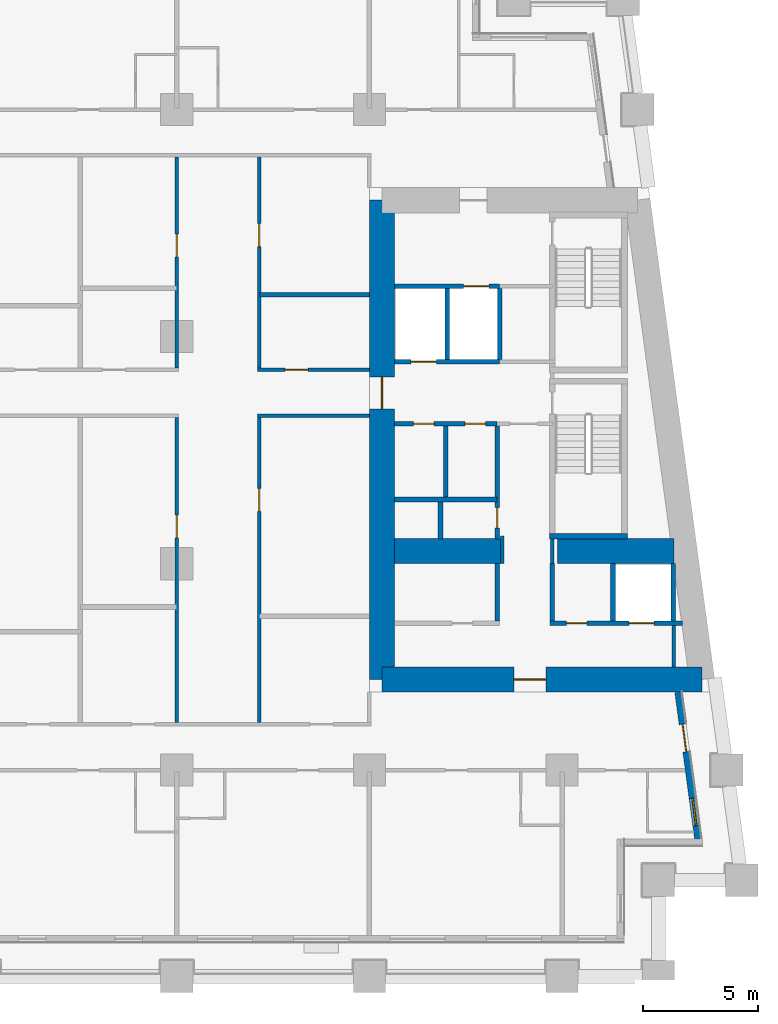
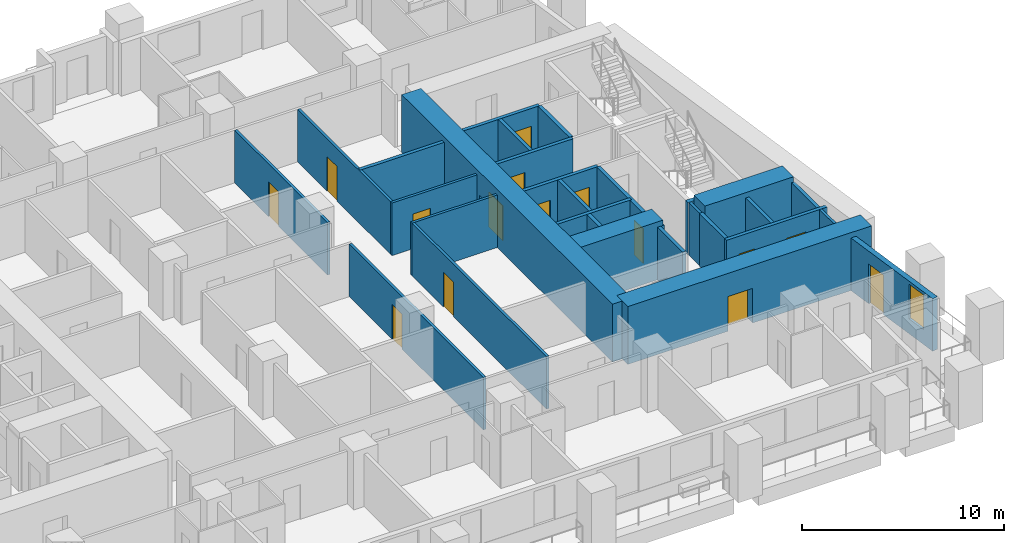
# One storey, part 5 of 13: 30 walls, 15 doors, 1 window, 16 openings.
"""IFC4 building model written with IfcOpenShell, lengths in metres."""

from ifc_helpers import new_model, si_unit, direction, frame, frame_2d, origin, place, context, subcontext, project, spatial, rectangle, extrude, material, layer, layer_set, type_object, element, fill, save


model = new_model("IFC4")

# Units and contexts
model_context = context("Model", 3, precision=1e-05, world=origin(), true_north=direction((0.0, 1.0)))
body_context = subcontext(model_context, "Body", "Model", "MODEL_VIEW")
ifc_project = project(units=[si_unit("LENGTHUNIT", "METRE"), si_unit("AREAUNIT", "SQUARE_METRE"), si_unit("VOLUMEUNIT", "CUBIC_METRE"), si_unit("PLANEANGLEUNIT", "RADIAN"), si_unit("MASSUNIT", "GRAM", prefix="KILO")], contexts=[model_context])

# Site, building, storey
site_placement = place(None, origin())
site = spatial("IfcSite", under=ifc_project, at=site_placement, CompositionType="ELEMENT")
building_placement = place(site_placement, origin())
building = spatial("IfcBuilding", under=site, at=building_placement, Name="Candeia Pilgrim Tower and Theatre", CompositionType="ELEMENT")
storey_placement = place(building_placement, frame((0.0, 0.0, 56.5)))
storey = spatial("IfcBuildingStorey", under=building, at=storey_placement, Name="L11", CompositionType="ELEMENT", Elevation=56.5)

# Wall, opening, door
ifc_material_1 = material(Name="Concrete C80/95", Category="concrete")
ifc_layer_1 = layer(ifc_material_1, 1.10009765625)
ifc_layer_set_1 = layer_set([ifc_layer_1], Name="Core wall 1100 C80/95")
wall_type_1 = type_object("IfcWallType", Name="Core wall 1100 C80/95", PredefinedType="SHEAR", material=ifc_layer_set_1)
wall_1_placement = place(storey_placement, frame((140.501708984375, 110.949951171875, 0.0), z_axis=(0.0, 0.0, 1.0), x_axis=(-1.0, 0.0, 0.0)))
wall_1 = element("IfcWall", 1, at=wall_1_placement, inside=storey, type_object=wall_type_1, Name="Core wall E3", PredefinedType="SHEAR", context=body_context, shape_type="SweptSolid", body=[
    extrude(rectangle(XDim=13.95166015625, YDim=1.10009765625, at=frame_2d((6.975830078125, 0.0))), origin(), (0.0, 0.0, 1.0), 3.5),
])
opening_1_placement = place(wall_1_placement, frame((6.80419921875, 0.0, 0.0)))
opening_1 = element("IfcOpeningElement", 2, at=opening_1_placement, cuts=wall_1, Name="Opening L11-D062", PredefinedType="OPENING", context=body_context, shape_type="SweptSolid", body=[
    extrude(rectangle(XDim=1.39990234375, YDim=2.10009765625, at=frame_2d((0.699951171875, 1.050048828125))), frame((0.0, 0.56005859375, 0.0), z_axis=(0.0, -1.0, 0.0), x_axis=(1.0, 0.0, 0.0)), (0.0, 0.0, 1.0), 1.1201171875),
])
ifc_material_2 = material(Name="Steel fire door set", Category="steel")
door_type_1 = type_object("IfcDoorType", Name="D-1400-FD60", OperationType="NOTDEFINED", PredefinedType="DOOR", material=ifc_material_2)
door_1_placement = place(opening_1_placement, origin())
door_1 = element("IfcDoor", 3, at=door_1_placement, inside=storey, type_object=door_type_1, Name="Door L11-D062", OperationType="SINGLE_SWING_LEFT", OverallHeight=2.10009765625, OverallWidth=1.39990234375, PredefinedType="DOOR", context=body_context, shape_type="SweptSolid", body=[
    extrude(rectangle(XDim=1.39990234375, YDim=2.10009765625, at=frame_2d((0.699951171875, 1.050048828125))), frame((0.0, 0.02490234375, 0.0), z_axis=(0.0, -1.0, 0.0), x_axis=(1.0, 0.0, 0.0)), (0.0, 0.0, 1.0), 0.050048828125),
])
fill(opening_1, door_1)

wall_2_placement = place(storey_placement, frame((126.550048828125, 110.949951171875, 0.0), z_axis=(0.0, 0.0, 1.0), x_axis=(0.0, 1.0, 0.0)))
wall_2 = element("IfcWall", 4, at=wall_2_placement, inside=storey, type_object=wall_type_1, Name="Core wall E4", PredefinedType="SHEAR", context=body_context, shape_type="SweptSolid", body=[
    extrude(rectangle(XDim=20.900146484375, YDim=1.10009765625, at=frame_2d((10.4501953125, 0.0))), origin(), (0.0, 0.0, 1.0), 3.5),
])
opening_2_placement = place(wall_2_placement, frame((11.800048828125, 0.0, 0.0)))
opening_2 = element("IfcOpeningElement", 5, at=opening_2_placement, cuts=wall_2, Name="Opening L11-D064", PredefinedType="OPENING", context=body_context, shape_type="SweptSolid", body=[
    extrude(rectangle(XDim=1.39990234375, YDim=2.10009765625, at=frame_2d((0.699951171875, 1.050048828125))), frame((0.0, 0.56005859375, 0.0), z_axis=(0.0, -1.0, 0.0), x_axis=(1.0, 0.0, 0.0)), (0.0, 0.0, 1.0), 1.1201171875),
])
door_2_placement = place(opening_2_placement, origin())
door_2 = element("IfcDoor", 6, at=door_2_placement, inside=storey, type_object=door_type_1, Name="Door L11-D064", OperationType="SINGLE_SWING_LEFT", OverallHeight=2.10009765625, OverallWidth=1.39990234375, PredefinedType="DOOR", context=body_context, shape_type="SweptSolid", body=[
    extrude(rectangle(XDim=1.39990234375, YDim=2.10009765625, at=frame_2d((0.699951171875, 1.050048828125))), frame((0.0, 0.02490234375, 0.0), z_axis=(0.0, -1.0, 0.0), x_axis=(1.0, 0.0, 0.0)), (0.0, 0.0, 1.0), 0.050048828125),
])
fill(opening_2, door_2)

# Walls
wall_3_placement = place(storey_placement, frame((127.10009765625, 116.550048828125, 0.0), z_axis=(0.0, 0.0, 1.0), x_axis=(1.0, 0.0, 0.0)))
element("IfcWall", 7, at=wall_3_placement, inside=storey, type_object=wall_type_1, Name="Core wall E5", PredefinedType="SHEAR", context=body_context, shape_type="SweptSolid", body=[
    extrude(rectangle(XDim=4.699951171875, YDim=1.10009765625, at=frame_2d((2.35009765625, 0.0))), origin(), (0.0, 0.0, 1.0), 3.5),
])
wall_4_placement = place(storey_placement, frame((134.199951171875, 116.550048828125, 0.0), z_axis=(0.0, 0.0, 1.0), x_axis=(1.0, 0.0, 0.0)))
element("IfcWall", 8, at=wall_4_placement, inside=storey, type_object=wall_type_1, Name="Core wall E6", PredefinedType="SHEAR", context=body_context, shape_type="SweptSolid", body=[
    extrude(rectangle(XDim=5.076904296875, YDim=1.10009765625, at=frame_2d((2.53857421875, 0.0))), origin(), (0.0, 0.0, 1.0), 3.5),
])

# Wall, openings, door, window
ifc_material_3 = material(Name="Ceramic block masonry", Category="masonry")
ifc_layer_2 = layer(ifc_material_3, 0.300048828125)
ifc_layer_set_2 = layer_set([ifc_layer_2], Name="EW1 glazing-line wall 300")
wall_type_2 = type_object("IfcWallType", Name="EW1 glazing-line wall 300", PredefinedType="SOLIDWALL", material=ifc_layer_set_2)
wall_5_placement = place(storey_placement, frame((140.34765625, 103.85009765625, 0.0), z_axis=(0.0, 0.0, 1.0), x_axis=(-0.133431549479, 0.991058031401, 0.0)))
wall_5 = element("IfcWall", 9, at=wall_5_placement, inside=storey, type_object=wall_type_2, Name="External wall L11-3.0", PredefinedType="SOLIDWALL", context=body_context, shape_type="SweptSolid", body=[
    extrude(rectangle(XDim=6.60888671875, YDim=0.300048828125, at=frame_2d((3.304443359375, 0.0))), origin(), (0.0, 0.0, 1.0), 3.179931640625),
])
opening_3_placement = place(wall_5_placement, frame((0.736572265625, 0.0, 0.89990234375)))
opening_3 = element("IfcOpeningElement", 10, at=opening_3_placement, cuts=wall_5, Name="Opening W-B", PredefinedType="OPENING", context=body_context, shape_type="SweptSolid", body=[
    extrude(rectangle(XDim=1.199951171875, YDim=2.10009765625, at=frame_2d((0.60009765625, 1.050048828125))), frame((0.0, 0.16015625, 0.0), z_axis=(0.0, -1.0, 0.0), x_axis=(1.0, 0.0, 0.0)), (0.0, 0.0, 1.0), 0.320068359375),
])
opening_4_placement = place(wall_5_placement, frame((3.990966796875, 0.0, 0.0)))
opening_4 = element("IfcOpeningElement", 11, at=opening_4_placement, cuts=wall_5, Name="Opening L11-ED130", PredefinedType="OPENING", context=body_context, shape_type="SweptSolid", body=[
    extrude(rectangle(XDim=1.199951171875, YDim=2.39990234375, at=frame_2d((0.60009765625, 1.199951171875))), frame((0.0, 0.16015625, 0.0), z_axis=(0.0, -1.0, 0.0), x_axis=(1.0, 0.0, 0.0)), (0.0, 0.0, 1.0), 0.320068359375),
])
ifc_material_4 = material(Name="Aluminium framed glazed door", Category="aluminium")
door_type_2 = type_object("IfcDoorType", Name="Loggia door 1200x2400", OperationType="DOUBLE_DOOR_SINGLE_SWING", PredefinedType="DOOR", material=ifc_material_4)
door_3_placement = place(opening_4_placement, origin())
door_3 = element("IfcDoor", 12, at=door_3_placement, inside=storey, type_object=door_type_2, Name="Loggia door L11-ED130", OperationType="DOUBLE_DOOR_SINGLE_SWING", OverallHeight=2.39990234375, OverallWidth=1.199951171875, PredefinedType="DOOR", context=body_context, shape_type="SweptSolid", body=[
    extrude(rectangle(XDim=1.199951171875, YDim=2.39990234375, at=frame_2d((0.60009765625, 1.199951171875))), frame((0.0, 0.02490234375, 0.0), z_axis=(0.0, -1.0, 0.0), x_axis=(1.0, 0.0, 0.0)), (0.0, 0.0, 1.0), 0.050048828125),
])
fill(opening_4, door_3)
ifc_material_5 = material(Name="Aluminium framed double glazing", Category="aluminium")
window_type = type_object("IfcWindowType", Name="W-B window 1200x2100", PartitioningType="SINGLE_PANEL", PredefinedType="WINDOW", material=ifc_material_5)
window_placement = place(opening_3_placement, origin())
window = element("IfcWindow", 13, at=window_placement, inside=storey, type_object=window_type, Name="Window W-B L11", OverallHeight=2.10009765625, OverallWidth=1.199951171875, PartitioningType="SINGLE_PANEL", PredefinedType="WINDOW", context=body_context, shape_type="SweptSolid", body=[
    extrude(rectangle(XDim=1.199951171875, YDim=2.10009765625, at=frame_2d((0.60009765625, 1.050048828125))), frame((0.0, 0.030029296875, 0.0), z_axis=(0.0, -1.0, 0.0), x_axis=(1.0, 0.0, 0.0)), (0.0, 0.0, 1.0), 0.06005859375),
])
fill(opening_3, window)

# Walls
ifc_material_6 = material(Name="Gypsum board partition on steel studs", Category="steel")
ifc_layer_3 = layer(ifc_material_6, 0.14990234375)
ifc_layer_set_3 = layer_set([ifc_layer_3], Name="PW-150 lobby wall")
wall_type_3 = type_object("IfcWallType", Name="PW-150 lobby wall", PredefinedType="PARTITIONING", material=ifc_layer_set_3)
wall_6_placement = place(storey_placement, frame((131.800048828125, 116.0, 0.0), z_axis=(0.0, 0.0, 1.0), x_axis=(0.0, 1.0, 0.0)))
element("IfcWall", 14, at=wall_6_placement, inside=storey, type_object=wall_type_3, Name="Lobby wall L11-113", PredefinedType="PARTITIONING", context=body_context, shape_type="SweptSolid", body=[
    extrude(rectangle(XDim=1.199951171875, YDim=0.14990234375, at=frame_2d((0.60009765625, 0.0))), origin(), (0.0, 0.0, 1.0), 3.179931640625),
])
wall_7_placement = place(storey_placement, frame((133.972900390625, 116.0, 0.0), z_axis=(0.0, 0.0, 1.0), x_axis=(0.0, 1.0, 0.0)))
element("IfcWall", 15, at=wall_7_placement, inside=storey, type_object=wall_type_3, Name="Lobby wall L11-117", PredefinedType="PARTITIONING", context=body_context, shape_type="SweptSolid", body=[
    extrude(rectangle(XDim=1.070068359375, YDim=0.14990234375, at=frame_2d((0.53515625, 0.0))), origin(), (0.0, 0.0, 1.0), 3.179931640625),
])
wall_8_placement = place(storey_placement, frame((139.27001953125, 111.5, 0.0), z_axis=(0.0, 0.0, 1.0), x_axis=(0.0, 1.0, 0.0)))
element("IfcWall", 16, at=wall_8_placement, inside=storey, type_object=wall_type_3, Name="Lobby wall L11-127", PredefinedType="PARTITIONING", context=body_context, shape_type="SweptSolid", body=[
    extrude(rectangle(XDim=1.800048828125, YDim=0.14990234375, at=frame_2d((0.89990234375, 0.0))), origin(), (0.0, 0.0, 1.0), 3.179931640625),
])
ifc_layer_4 = layer(ifc_material_6, 0.14990234375)
ifc_layer_set_4 = layer_set([ifc_layer_4], Name="PW-150 unit wall")
wall_type_4 = type_object("IfcWallType", Name="PW-150 unit wall", PredefinedType="PARTITIONING", material=ifc_layer_set_4)
wall_9_placement = place(storey_placement, frame((121.125, 122.449951171875, 0.0), z_axis=(0.0, 0.0, 1.0), x_axis=(1.0, 0.0, 0.0)))
element("IfcWall", 17, at=wall_9_placement, inside=storey, type_object=wall_type_4, Name="Unit wall L11-027", PredefinedType="PARTITIONING", context=body_context, shape_type="SweptSolid", body=[
    extrude(rectangle(XDim=4.875, YDim=0.14990234375, at=frame_2d((2.4375, 0.0))), origin(), (0.0, 0.0, 1.0), 3.179931640625),
])

# Wall, opening, door
wall_10_placement = place(storey_placement, frame((121.125, 124.449951171875, 0.0), z_axis=(0.0, 0.0, 1.0), x_axis=(1.0, 0.0, 0.0)))
wall_10 = element("IfcWall", 18, at=wall_10_placement, inside=storey, type_object=wall_type_4, Name="Unit wall L11-034", PredefinedType="PARTITIONING", context=body_context, shape_type="SweptSolid", body=[
    extrude(rectangle(XDim=4.875, YDim=0.14990234375, at=frame_2d((2.4375, 0.0))), origin(), (0.0, 0.0, 1.0), 3.179931640625),
])
opening_5_placement = place(wall_10_placement, frame((1.199951171875, 0.0, 0.0)))
opening_5 = element("IfcOpeningElement", 19, at=opening_5_placement, cuts=wall_10, Name="Opening L11-D057", PredefinedType="OPENING", context=body_context, shape_type="SweptSolid", body=[
    extrude(rectangle(XDim=1.0, YDim=2.10009765625, at=frame_2d((0.5, 1.050048828125))), frame((0.0, 0.0849609375, 0.0), z_axis=(0.0, -1.0, 0.0), x_axis=(1.0, 0.0, 0.0)), (0.0, 0.0, 1.0), 0.169921875),
])
door_type_3 = type_object("IfcDoorType", Name="D-1000-FD30S", OperationType="NOTDEFINED", PredefinedType="DOOR", material=ifc_material_2)
door_4_placement = place(opening_5_placement, origin())
door_4 = element("IfcDoor", 20, at=door_4_placement, inside=storey, type_object=door_type_3, Name="Door L11-D057", OperationType="SINGLE_SWING_RIGHT", OverallHeight=2.10009765625, OverallWidth=1.0, PredefinedType="DOOR", context=body_context, shape_type="SweptSolid", body=[
    extrude(rectangle(XDim=1.0, YDim=2.10009765625, at=frame_2d((0.5, 1.050048828125))), frame((0.0, 0.02490234375, 0.0), z_axis=(0.0, -1.0, 0.0), x_axis=(1.0, 0.0, 0.0)), (0.0, 0.0, 1.0), 0.050048828125),
])
fill(opening_5, door_4)

wall_11_placement = place(storey_placement, frame((117.60009765625, 109.074951171875, 0.0), z_axis=(0.0, 0.0, 1.0), x_axis=(0.0, 1.0, 0.0)))
wall_11 = element("IfcWall", 21, at=wall_11_placement, inside=storey, type_object=wall_type_4, Name="Unit wall L11-096", PredefinedType="PARTITIONING", context=body_context, shape_type="SweptSolid", body=[
    extrude(rectangle(XDim=13.300048828125, YDim=0.14990234375, at=frame_2d((6.64990234375, 0.0))), origin(), (0.0, 0.0, 1.0), 3.179931640625),
])
opening_6_placement = place(wall_11_placement, frame((8.0419921875, 0.0, 0.0)))
opening_6 = element("IfcOpeningElement", 22, at=opening_6_placement, cuts=wall_11, Name="Opening L11-D052", PredefinedType="OPENING", context=body_context, shape_type="SweptSolid", body=[
    extrude(rectangle(XDim=1.0, YDim=2.10009765625, at=frame_2d((0.5, 1.050048828125))), frame((0.0, 0.0849609375, 0.0), z_axis=(0.0, -1.0, 0.0), x_axis=(1.0, 0.0, 0.0)), (0.0, 0.0, 1.0), 0.169921875),
])
door_5_placement = place(opening_6_placement, origin())
door_5 = element("IfcDoor", 23, at=door_5_placement, inside=storey, type_object=door_type_3, Name="Door L11-D052", OperationType="SINGLE_SWING_LEFT", OverallHeight=2.10009765625, OverallWidth=1.0, PredefinedType="DOOR", context=body_context, shape_type="SweptSolid", body=[
    extrude(rectangle(XDim=1.0, YDim=2.10009765625, at=frame_2d((0.5, 1.050048828125))), frame((0.0, 0.02490234375, 0.0), z_axis=(0.0, -1.0, 0.0), x_axis=(1.0, 0.0, 0.0)), (0.0, 0.0, 1.0), 0.050048828125),
])
fill(opening_6, door_5)

wall_12_placement = place(storey_placement, frame((117.60009765625, 124.52490234375, 0.0), z_axis=(0.0, 0.0, 1.0), x_axis=(0.0, 1.0, 0.0)))
wall_12 = element("IfcWall", 24, at=wall_12_placement, inside=storey, type_object=wall_type_4, Name="Unit wall L11-097", PredefinedType="PARTITIONING", context=body_context, shape_type="SweptSolid", body=[
    extrude(rectangle(XDim=9.2001953125, YDim=0.14990234375, at=frame_2d((4.60009765625, 0.0))), origin(), (0.0, 0.0, 1.0), 3.179931640625),
])
opening_7_placement = place(wall_12_placement, frame((4.85205078125, 0.0, 0.0)))
opening_7 = element("IfcOpeningElement", 25, at=opening_7_placement, cuts=wall_12, Name="Opening L11-D054", PredefinedType="OPENING", context=body_context, shape_type="SweptSolid", body=[
    extrude(rectangle(XDim=1.0, YDim=2.10009765625, at=frame_2d((0.5, 1.050048828125))), frame((0.0, 0.0849609375, 0.0), z_axis=(0.0, -1.0, 0.0), x_axis=(1.0, 0.0, 0.0)), (0.0, 0.0, 1.0), 0.169921875),
])
door_6_placement = place(opening_7_placement, origin())
door_6 = element("IfcDoor", 26, at=door_6_placement, inside=storey, type_object=door_type_3, Name="Door L11-D054", OperationType="SINGLE_SWING_LEFT", OverallHeight=2.10009765625, OverallWidth=1.0, PredefinedType="DOOR", context=body_context, shape_type="SweptSolid", body=[
    extrude(rectangle(XDim=1.0, YDim=2.10009765625, at=frame_2d((0.5, 1.050048828125))), frame((0.0, 0.02490234375, 0.0), z_axis=(0.0, -1.0, 0.0), x_axis=(1.0, 0.0, 0.0)), (0.0, 0.0, 1.0), 0.050048828125),
])
fill(opening_7, door_6)

wall_13_placement = place(storey_placement, frame((121.199951171875, 109.074951171875, 0.0), z_axis=(0.0, 0.0, 1.0), x_axis=(0.0, 1.0, 0.0)))
wall_13 = element("IfcWall", 27, at=wall_13_placement, inside=storey, type_object=wall_type_4, Name="Unit wall L11-100", PredefinedType="PARTITIONING", context=body_context, shape_type="SweptSolid", body=[
    extrude(rectangle(XDim=13.300048828125, YDim=0.14990234375, at=frame_2d((6.64990234375, 0.0))), origin(), (0.0, 0.0, 1.0), 3.179931640625),
])
opening_8_placement = place(wall_13_placement, frame((9.2080078125, 0.0, 0.0)))
opening_8 = element("IfcOpeningElement", 28, at=opening_8_placement, cuts=wall_13, Name="Opening L11-D056", PredefinedType="OPENING", context=body_context, shape_type="SweptSolid", body=[
    extrude(rectangle(XDim=1.0, YDim=2.10009765625, at=frame_2d((0.5, 1.050048828125))), frame((0.0, 0.0849609375, 0.0), z_axis=(0.0, -1.0, 0.0), x_axis=(1.0, 0.0, 0.0)), (0.0, 0.0, 1.0), 0.169921875),
])
door_7_placement = place(opening_8_placement, origin())
door_7 = element("IfcDoor", 29, at=door_7_placement, inside=storey, type_object=door_type_3, Name="Door L11-D056", OperationType="SINGLE_SWING_LEFT", OverallHeight=2.10009765625, OverallWidth=1.0, PredefinedType="DOOR", context=body_context, shape_type="SweptSolid", body=[
    extrude(rectangle(XDim=1.0, YDim=2.10009765625, at=frame_2d((0.5, 1.050048828125))), frame((0.0, 0.02490234375, 0.0), z_axis=(0.0, -1.0, 0.0), x_axis=(1.0, 0.0, 0.0)), (0.0, 0.0, 1.0), 0.050048828125),
])
fill(opening_8, door_7)

wall_14_placement = place(storey_placement, frame((121.199951171875, 124.52490234375, 0.0), z_axis=(0.0, 0.0, 1.0), x_axis=(0.0, 1.0, 0.0)))
wall_14 = element("IfcWall", 30, at=wall_14_placement, inside=storey, type_object=wall_type_4, Name="Unit wall L11-101", PredefinedType="PARTITIONING", context=body_context, shape_type="SweptSolid", body=[
    extrude(rectangle(XDim=9.2001953125, YDim=0.14990234375, at=frame_2d((4.60009765625, 0.0))), origin(), (0.0, 0.0, 1.0), 3.179931640625),
])
opening_9_placement = place(wall_14_placement, frame((5.298095703125, 0.0, 0.0)))
opening_9 = element("IfcOpeningElement", 31, at=opening_9_placement, cuts=wall_14, Name="Opening L11-D058", PredefinedType="OPENING", context=body_context, shape_type="SweptSolid", body=[
    extrude(rectangle(XDim=1.0, YDim=2.10009765625, at=frame_2d((0.5, 1.050048828125))), frame((0.0, 0.0849609375, 0.0), z_axis=(0.0, -1.0, 0.0), x_axis=(1.0, 0.0, 0.0)), (0.0, 0.0, 1.0), 0.169921875),
])
door_8_placement = place(opening_9_placement, origin())
door_8 = element("IfcDoor", 32, at=door_8_placement, inside=storey, type_object=door_type_3, Name="Door L11-D058", OperationType="SINGLE_SWING_LEFT", OverallHeight=2.10009765625, OverallWidth=1.0, PredefinedType="DOOR", context=body_context, shape_type="SweptSolid", body=[
    extrude(rectangle(XDim=1.0, YDim=2.10009765625, at=frame_2d((0.5, 1.050048828125))), frame((0.0, 0.02490234375, 0.0), z_axis=(0.0, -1.0, 0.0), x_axis=(1.0, 0.0, 0.0)), (0.0, 0.0, 1.0), 0.050048828125),
])
fill(opening_9, door_8)

# Wall
ifc_layer_5 = layer(ifc_material_6, 0.199951171875)
ifc_layer_set_5 = layer_set([ifc_layer_5], Name="PW-200 party wall")
wall_type_5 = type_object("IfcWallType", Name="PW-200 party wall", PredefinedType="PARTITIONING", material=ifc_layer_set_5)
wall_15_placement = place(storey_placement, frame((121.199951171875, 127.722412109375, 0.0), z_axis=(0.0, 0.0, 1.0), x_axis=(1.0, 0.0, 0.0)))
element("IfcWall", 33, at=wall_15_placement, inside=storey, type_object=wall_type_5, Name="Party wall L11-040", PredefinedType="PARTITIONING", context=body_context, shape_type="SweptSolid", body=[
    extrude(rectangle(XDim=4.800048828125, YDim=0.199951171875, at=frame_2d((2.39990234375, 0.0))), origin(), (0.0, 0.0, 1.0), 3.179931640625),
])

# Wall, openings, doors
ifc_material_7 = material(Name="Concrete C40/50", Category="concrete")
ifc_layer_6 = layer(ifc_material_7, 0.199951171875)
ifc_layer_set_6 = layer_set([ifc_layer_6], Name="SW-200 shaft wall")
wall_type_6 = type_object("IfcWallType", Name="SW-200 shaft wall", PredefinedType="PARTITIONING", material=ifc_layer_set_6)
wall_16_placement = place(storey_placement, frame((133.873046875, 113.39990234375, 0.0), z_axis=(0.0, 0.0, 1.0), x_axis=(1.0, 0.0, 0.0)))
wall_16 = element("IfcWall", 34, at=wall_16_placement, inside=storey, type_object=wall_type_6, Name="Shaft wall L11-014", PredefinedType="PARTITIONING", context=body_context, shape_type="SweptSolid", body=[
    extrude(rectangle(XDim=5.77392578125, YDim=0.199951171875, at=frame_2d((2.886962890625, 0.0))), origin(), (0.0, 0.0, 1.0), 3.179931640625),
])
opening_10_placement = place(wall_16_placement, frame((3.43798828125, 0.0, 0.0)))
opening_10 = element("IfcOpeningElement", 35, at=opening_10_placement, cuts=wall_16, Name="Opening L11-LD08", PredefinedType="OPENING", context=body_context, shape_type="SweptSolid", body=[
    extrude(rectangle(XDim=1.10009765625, YDim=2.10009765625, at=frame_2d((0.550048828125, 1.050048828125))), frame((0.0, 0.10986328125, 0.0), z_axis=(0.0, -1.0, 0.0), x_axis=(1.0, 0.0, 0.0)), (0.0, 0.0, 1.0), 0.219970703125),
])
opening_11_placement = place(wall_16_placement, frame((0.7119140625, 0.0, 0.0)))
opening_11 = element("IfcOpeningElement", 36, at=opening_11_placement, cuts=wall_16, Name="Opening L11-D014", PredefinedType="OPENING", context=body_context, shape_type="SweptSolid", body=[
    extrude(rectangle(XDim=0.89990234375, YDim=2.10009765625, at=frame_2d((0.449951171875, 1.050048828125))), frame((0.0, 0.10986328125, 0.0), z_axis=(0.0, -1.0, 0.0), x_axis=(1.0, 0.0, 0.0)), (0.0, 0.0, 1.0), 0.219970703125),
])
door_type_4 = type_object("IfcDoorType", Name="D-900-FD60", OperationType="NOTDEFINED", PredefinedType="DOOR", material=ifc_material_2)
door_9_placement = place(opening_11_placement, origin())
door_9 = element("IfcDoor", 37, at=door_9_placement, inside=storey, type_object=door_type_4, Name="Door L11-D014", OperationType="SINGLE_SWING_LEFT", OverallHeight=2.10009765625, OverallWidth=0.89990234375, PredefinedType="DOOR", context=body_context, shape_type="SweptSolid", body=[
    extrude(rectangle(XDim=0.89990234375, YDim=2.10009765625, at=frame_2d((0.449951171875, 1.050048828125))), frame((0.0, 0.02490234375, 0.0), z_axis=(0.0, -1.0, 0.0), x_axis=(1.0, 0.0, 0.0)), (0.0, 0.0, 1.0), 0.050048828125),
])
fill(opening_11, door_9)
ifc_material_8 = material(Name="Glazed aluminium landing door", Category="aluminium")
door_type_5 = type_object("IfcDoorType", Name="LD-1100-EI120", OperationType="SLIDING_TO_LEFT", PredefinedType="DOOR", material=ifc_material_8)
door_10_placement = place(opening_10_placement, origin())
door_10 = element("IfcDoor", 38, at=door_10_placement, inside=storey, type_object=door_type_5, Name="Landing door 08 L11", OperationType="SLIDING_TO_LEFT", OverallHeight=2.10009765625, OverallWidth=1.10009765625, PredefinedType="DOOR", context=body_context, shape_type="SweptSolid", body=[
    extrude(rectangle(XDim=1.10009765625, YDim=2.10009765625, at=frame_2d((0.550048828125, 1.050048828125))), frame((0.0, 0.02490234375, 0.0), z_axis=(0.0, -1.0, 0.0), x_axis=(1.0, 0.0, 0.0)), (0.0, 0.0, 1.0), 0.050048828125),
])
fill(opening_10, door_10)

# Wall
wall_17_placement = place(storey_placement, frame((127.10009765625, 118.800048828125, 0.0), z_axis=(0.0, 0.0, 1.0), x_axis=(1.0, 0.0, 0.0)))
element("IfcWall", 39, at=wall_17_placement, inside=storey, type_object=wall_type_6, Name="Shaft wall L11-020", PredefinedType="PARTITIONING", context=body_context, shape_type="SweptSolid", body=[
    extrude(rectangle(XDim=4.472900390625, YDim=0.199951171875, at=frame_2d((2.236328125, 0.0))), origin(), (0.0, 0.0, 1.0), 3.179931640625),
])

# Wall, openings, doors
wall_18_placement = place(storey_placement, frame((127.10009765625, 122.10009765625, 0.0), z_axis=(0.0, 0.0, 1.0), x_axis=(1.0, 0.0, 0.0)))
wall_18 = element("IfcWall", 40, at=wall_18_placement, inside=storey, type_object=wall_type_6, Name="Shaft wall L11-022", PredefinedType="PARTITIONING", context=body_context, shape_type="SweptSolid", body=[
    extrude(rectangle(XDim=4.472900390625, YDim=0.199951171875, at=frame_2d((2.236328125, 0.0))), origin(), (0.0, 0.0, 1.0), 3.179931640625),
])
opening_12_placement = place(wall_18_placement, frame((3.06396484375, 0.0, 0.0)))
opening_12 = element("IfcOpeningElement", 41, at=opening_12_placement, cuts=wall_18, Name="Opening L11-D009", PredefinedType="OPENING", context=body_context, shape_type="SweptSolid", body=[
    extrude(rectangle(XDim=0.89990234375, YDim=2.10009765625, at=frame_2d((0.449951171875, 1.050048828125))), frame((0.0, 0.10986328125, 0.0), z_axis=(0.0, -1.0, 0.0), x_axis=(1.0, 0.0, 0.0)), (0.0, 0.0, 1.0), 0.219970703125),
])
opening_13_placement = place(wall_18_placement, frame((0.826904296875, 0.0, 0.0)))
opening_13 = element("IfcOpeningElement", 42, at=opening_13_placement, cuts=wall_18, Name="Opening L11-D010", PredefinedType="OPENING", context=body_context, shape_type="SweptSolid", body=[
    extrude(rectangle(XDim=0.89990234375, YDim=2.10009765625, at=frame_2d((0.449951171875, 1.050048828125))), frame((0.0, 0.10986328125, 0.0), z_axis=(0.0, -1.0, 0.0), x_axis=(1.0, 0.0, 0.0)), (0.0, 0.0, 1.0), 0.219970703125),
])
door_11_placement = place(opening_12_placement, origin())
door_11 = element("IfcDoor", 43, at=door_11_placement, inside=storey, type_object=door_type_4, Name="Door L11-D009", OperationType="SINGLE_SWING_LEFT", OverallHeight=2.10009765625, OverallWidth=0.89990234375, PredefinedType="DOOR", context=body_context, shape_type="SweptSolid", body=[
    extrude(rectangle(XDim=0.89990234375, YDim=2.10009765625, at=frame_2d((0.449951171875, 1.050048828125))), frame((0.0, 0.02490234375, 0.0), z_axis=(0.0, -1.0, 0.0), x_axis=(1.0, 0.0, 0.0)), (0.0, 0.0, 1.0), 0.050048828125),
])
fill(opening_12, door_11)
door_12_placement = place(opening_13_placement, origin())
door_12 = element("IfcDoor", 44, at=door_12_placement, inside=storey, type_object=door_type_4, Name="Door L11-D010", OperationType="SINGLE_SWING_RIGHT", OverallHeight=2.10009765625, OverallWidth=0.89990234375, PredefinedType="DOOR", context=body_context, shape_type="SweptSolid", body=[
    extrude(rectangle(XDim=0.89990234375, YDim=2.10009765625, at=frame_2d((0.449951171875, 1.050048828125))), frame((0.0, 0.02490234375, 0.0), z_axis=(0.0, -1.0, 0.0), x_axis=(1.0, 0.0, 0.0)), (0.0, 0.0, 1.0), 0.050048828125),
])
fill(opening_13, door_12)

# Wall, opening, door
wall_19_placement = place(storey_placement, frame((127.10009765625, 124.800048828125, 0.0), z_axis=(0.0, 0.0, 1.0), x_axis=(1.0, 0.0, 0.0)))
wall_19 = element("IfcWall", 45, at=wall_19_placement, inside=storey, type_object=wall_type_6, Name="Shaft wall L11-036", PredefinedType="PARTITIONING", context=body_context, shape_type="SweptSolid", body=[
    extrude(rectangle(XDim=4.581787109375, YDim=0.199951171875, at=frame_2d((2.291015625, 0.0))), origin(), (0.0, 0.0, 1.0), 3.179931640625),
])
opening_14_placement = place(wall_19_placement, frame((0.718017578125, 0.0, 0.0)))
opening_14 = element("IfcOpeningElement", 46, at=opening_14_placement, cuts=wall_19, Name="Opening L11-LD07", PredefinedType="OPENING", context=body_context, shape_type="SweptSolid", body=[
    extrude(rectangle(XDim=1.10009765625, YDim=2.10009765625, at=frame_2d((0.550048828125, 1.050048828125))), frame((0.0, 0.10986328125, 0.0), z_axis=(0.0, -1.0, 0.0), x_axis=(1.0, 0.0, 0.0)), (0.0, 0.0, 1.0), 0.219970703125),
])
door_13_placement = place(opening_14_placement, origin())
door_13 = element("IfcDoor", 47, at=door_13_placement, inside=storey, type_object=door_type_5, Name="Landing door 07 L11", OperationType="SLIDING_TO_LEFT", OverallHeight=2.10009765625, OverallWidth=1.10009765625, PredefinedType="DOOR", context=body_context, shape_type="SweptSolid", body=[
    extrude(rectangle(XDim=1.10009765625, YDim=2.10009765625, at=frame_2d((0.550048828125, 1.050048828125))), frame((0.0, 0.02490234375, 0.0), z_axis=(0.0, -1.0, 0.0), x_axis=(1.0, 0.0, 0.0)), (0.0, 0.0, 1.0), 0.050048828125),
])
fill(opening_14, door_13)

wall_20_placement = place(storey_placement, frame((127.10009765625, 128.10009765625, 0.0), z_axis=(0.0, 0.0, 1.0), x_axis=(1.0, 0.0, 0.0)))
wall_20 = element("IfcWall", 48, at=wall_20_placement, inside=storey, type_object=wall_type_6, Name="Shaft wall L11-043", PredefinedType="PARTITIONING", context=body_context, shape_type="SweptSolid", body=[
    extrude(rectangle(XDim=4.581787109375, YDim=0.199951171875, at=frame_2d((2.291015625, 0.0))), origin(), (0.0, 0.0, 1.0), 3.179931640625),
])
opening_15_placement = place(wall_20_placement, frame((3.009033203125, 0.0, 0.0)))
opening_15 = element("IfcOpeningElement", 49, at=opening_15_placement, cuts=wall_20, Name="Opening L11-LD06", PredefinedType="OPENING", context=body_context, shape_type="SweptSolid", body=[
    extrude(rectangle(XDim=1.10009765625, YDim=2.10009765625, at=frame_2d((0.550048828125, 1.050048828125))), frame((0.0, 0.10986328125, 0.0), z_axis=(0.0, -1.0, 0.0), x_axis=(1.0, 0.0, 0.0)), (0.0, 0.0, 1.0), 0.219970703125),
])
door_14_placement = place(opening_15_placement, origin())
door_14 = element("IfcDoor", 50, at=door_14_placement, inside=storey, type_object=door_type_5, Name="Landing door 06 L11", OperationType="SLIDING_TO_LEFT", OverallHeight=2.10009765625, OverallWidth=1.10009765625, PredefinedType="DOOR", context=body_context, shape_type="SweptSolid", body=[
    extrude(rectangle(XDim=1.10009765625, YDim=2.10009765625, at=frame_2d((0.550048828125, 1.050048828125))), frame((0.0, 0.02490234375, 0.0), z_axis=(0.0, -1.0, 0.0), x_axis=(1.0, 0.0, 0.0)), (0.0, 0.0, 1.0), 0.050048828125),
])
fill(opening_15, door_14)

# Walls
wall_21_placement = place(storey_placement, frame((129.10009765625, 117.070068359375, 0.0), z_axis=(0.0, 0.0, 1.0), x_axis=(0.0, 1.0, 0.0)))
element("IfcWall", 51, at=wall_21_placement, inside=storey, type_object=wall_type_6, Name="Shaft wall L11-106", PredefinedType="PARTITIONING", context=body_context, shape_type="SweptSolid", body=[
    extrude(rectangle(XDim=1.6298828125, YDim=0.199951171875, at=frame_2d((0.81494140625, 0.0))), origin(), (0.0, 0.0, 1.0), 3.179931640625),
])
for number, where, z_axis, x_axis, name in (
    (52, (129.33642578125, 118.89990234375, 0.0), (0.0, 0.0, 1.0), (0.0, 1.0, 0.0), "Shaft wall L11-107"),
    (53, (129.39111328125, 124.89990234375, 0.0), (0.0, 0.0, 1.0), (0.0, 1.0, 0.0), "Shaft wall L11-108"),
):
    element("IfcWall", number, at=place(storey_placement, frame(where, z_axis=z_axis, x_axis=x_axis)), inside=storey, type_object=wall_type_6, Name=name, PredefinedType="PARTITIONING", context=body_context, shape_type="SweptSolid", body=[
        extrude(rectangle(XDim=3.10009765625, YDim=0.199951171875, at=frame_2d((1.550048828125, 0.0))), origin(), (0.0, 0.0, 1.0), 3.179931640625),
    ])
wall_22_placement = place(storey_placement, frame((131.572998046875, 113.5, 0.0), z_axis=(0.0, 0.0, 1.0), x_axis=(0.0, 1.0, 0.0)))
element("IfcWall", 54, at=wall_22_placement, inside=storey, type_object=wall_type_6, Name="Shaft wall L11-110", PredefinedType="PARTITIONING", context=body_context, shape_type="SweptSolid", body=[
    extrude(rectangle(XDim=2.5, YDim=0.199951171875, at=frame_2d((1.25, 0.0))), origin(), (0.0, 0.0, 1.0), 3.179931640625),
])

# Wall, opening, door
wall_23_placement = place(storey_placement, frame((131.572998046875, 117.070068359375, 0.0), z_axis=(0.0, 0.0, 1.0), x_axis=(0.0, 1.0, 0.0)))
wall_23 = element("IfcWall", 55, at=wall_23_placement, inside=storey, type_object=wall_type_6, Name="Shaft wall L11-111", PredefinedType="PARTITIONING", context=body_context, shape_type="SweptSolid", body=[
    extrude(rectangle(XDim=4.929931640625, YDim=0.199951171875, at=frame_2d((2.46484375, 0.0))), origin(), (0.0, 0.0, 1.0), 3.179931640625),
])
opening_16_placement = place(wall_23_placement, frame((0.47998046875, 0.0, 0.0)))
opening_16 = element("IfcOpeningElement", 56, at=opening_16_placement, cuts=wall_23, Name="Opening L11-D013", PredefinedType="OPENING", context=body_context, shape_type="SweptSolid", body=[
    extrude(rectangle(XDim=0.89990234375, YDim=2.10009765625, at=frame_2d((0.449951171875, 1.050048828125))), frame((0.0, 0.10986328125, 0.0), z_axis=(0.0, -1.0, 0.0), x_axis=(1.0, 0.0, 0.0)), (0.0, 0.0, 1.0), 0.219970703125),
])
door_15_placement = place(opening_16_placement, origin())
door_15 = element("IfcDoor", 57, at=door_15_placement, inside=storey, type_object=door_type_4, Name="Door L11-D013", OperationType="SINGLE_SWING_LEFT", OverallHeight=2.10009765625, OverallWidth=0.89990234375, PredefinedType="DOOR", context=body_context, shape_type="SweptSolid", body=[
    extrude(rectangle(XDim=0.89990234375, YDim=2.10009765625, at=frame_2d((0.449951171875, 1.050048828125))), frame((0.0, 0.02490234375, 0.0), z_axis=(0.0, -1.0, 0.0), x_axis=(1.0, 0.0, 0.0)), (0.0, 0.0, 1.0), 0.050048828125),
])
fill(opening_16, door_15)

# Walls
wall_24_placement = place(storey_placement, frame((131.681884765625, 124.89990234375, 0.0), z_axis=(0.0, 0.0, 1.0), x_axis=(0.0, 1.0, 0.0)))
element("IfcWall", 58, at=wall_24_placement, inside=storey, type_object=wall_type_6, Name="Shaft wall L11-112", PredefinedType="PARTITIONING", context=body_context, shape_type="SweptSolid", body=[
    extrude(rectangle(XDim=3.10009765625, YDim=0.199951171875, at=frame_2d((1.550048828125, 0.0))), origin(), (0.0, 0.0, 1.0), 3.179931640625),
])
for number, where, z_axis, x_axis, name in (
    (59, (133.972900390625, 113.5, 0.0), (0.0, 0.0, 1.0), (0.0, 1.0, 0.0), "Shaft wall L11-116"),
    (60, (136.62158203125, 113.5, 0.0), (0.0, 0.0, 1.0), (0.0, 1.0, 0.0), "Shaft wall L11-122"),
    (61, (139.247802734375, 113.5, 0.0), (0.0, 0.0, 1.0), (0.0, 1.0, 0.0), "Shaft wall L11-126"),
):
    element("IfcWall", number, at=place(storey_placement, frame(where, z_axis=z_axis, x_axis=x_axis)), inside=storey, type_object=wall_type_6, Name=name, PredefinedType="PARTITIONING", context=body_context, shape_type="SweptSolid", body=[
        extrude(rectangle(XDim=2.5, YDim=0.199951171875, at=frame_2d((1.25, 0.0))), origin(), (0.0, 0.0, 1.0), 3.179931640625),
    ])
ifc_layer_7 = layer(ifc_material_7, 0.25)
ifc_layer_set_7 = layer_set([ifc_layer_7], Name="SW-250 stair wall")
wall_type_7 = type_object("IfcWallType", Name="SW-250 stair wall", PredefinedType="PARTITIONING", material=ifc_layer_set_7)
wall_25_placement = place(storey_placement, frame((133.847900390625, 117.199951171875, 0.0), z_axis=(0.0, 0.0, 1.0), x_axis=(1.0, 0.0, 0.0)))
element("IfcWall", 62, at=wall_25_placement, inside=storey, type_object=wall_type_7, Name="Stair wall L11-018", PredefinedType="PARTITIONING", context=body_context, shape_type="SweptSolid", body=[
    extrude(rectangle(XDim=3.400146484375, YDim=0.25, at=frame_2d((1.7001953125, 0.0))), origin(), (0.0, 0.0, 1.0), 3.179931640625),
])

save(model, "model.ifc")
